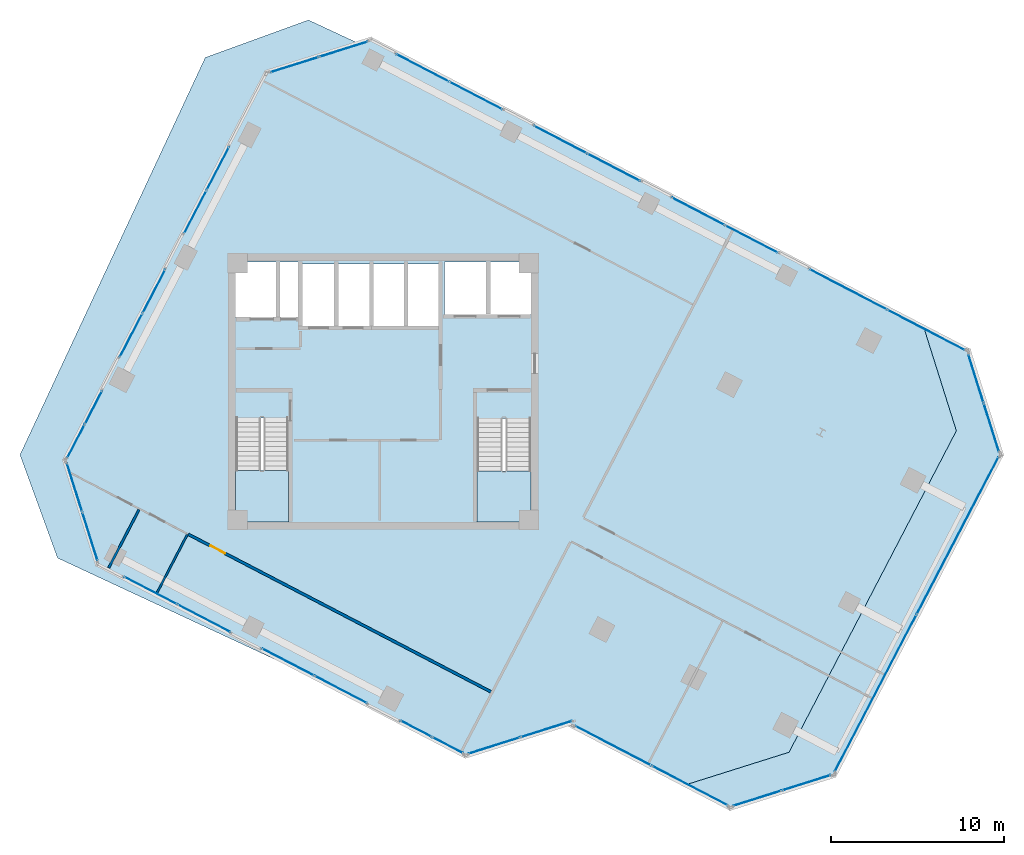
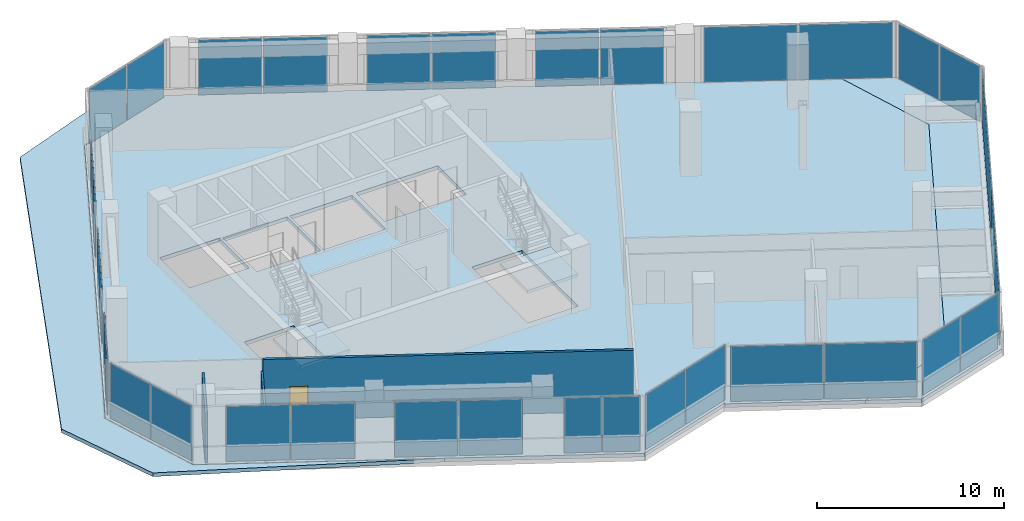
# One storey, part 16 of 22: 34 plates, 5 slabs, 3 walls, 1 door, 1 opening, 19 elements without a shape of their own.
"""IFC4 building model written with IfcOpenShell, lengths in metres."""

import ifcopenshell
import ifcopenshell.guid

model = None  # the IFC model being written
_history = None  # IfcOwnerHistory: only IFC2X3 demands one
_inside = {}  # id of a spatial element -> (the spatial element, [elements in it])
_under = {}  # id of a project, library or spatial element -> (it, [spatial elements below it])
_declared = {}  # id of a project -> (the project, [libraries it declares])
_typed = {}  # id of a type object -> (the type object, [elements of that type])
_made_of = {}  # id of a material, layer set ... -> (it, [elements and type objects made of it])


def new_model(schema):
    """Start an empty IFC model of exactly this schema.

    Asked for "IFC4X3", IfcOpenShell would pick the latest addendum, in which some entities
    have other attributes; the version numbers below select the first issue.
    IFC2X3 requires an IfcOwnerHistory on every rooted entity: one is made here for all.
    """
    global model, _history
    if schema == "IFC4X3":
        model = ifcopenshell.file(schema_version=(4, 3, 0, 0))
    else:
        model = ifcopenshell.file(schema=schema)
    _inside.clear()
    _under.clear()
    _declared.clear()
    _typed.clear()
    _made_of.clear()
    _history = None
    if model.schema == "IFC2X3":
        org = make("IfcOrganization", Name="unknown")
        user = make(
            "IfcPersonAndOrganization",
            ThePerson=make("IfcPerson", FamilyName="unknown"),
            TheOrganization=org,
        )
        app = make(
            "IfcApplication",
            ApplicationDeveloper=org,
            Version="unknown",
            ApplicationFullName="unknown",
            ApplicationIdentifier="unknown",
        )
        _history = make(
            "IfcOwnerHistory",
            OwningUser=user,
            OwningApplication=app,
            ChangeAction="ADDED",
            CreationDate=0,
        )
    return model


def make(cls, **values):
    """One entity of the class cls with the attributes given. An attribute that is None is left unset."""
    return model.create_entity(
        cls, **{name: value for name, value in values.items() if value is not None}
    )


def rooted(cls, **values):
    """An entity with a GlobalId (a new one), such as an element, a storey or a relation."""
    return make(cls, GlobalId=ifcopenshell.guid.new(), OwnerHistory=_history, **values)


def si_unit(unit_type, name, prefix=None):
    """IfcSIUnit, for example si_unit("LENGTHUNIT", "METRE", prefix="MILLI")."""
    return make("IfcSIUnit", UnitType=unit_type, Prefix=prefix, Name=name)


def assignment(units):
    """IfcUnitAssignment: the units of a project."""
    return None if units is None else make("IfcUnitAssignment", Units=units)


def point(xyz):
    """IfcCartesianPoint."""
    return None if xyz is None else make("IfcCartesianPoint", Coordinates=xyz)


def direction(xyz):
    """IfcDirection."""
    return None if xyz is None else make("IfcDirection", DirectionRatios=xyz)


def frame(location, z_axis=None, x_axis=None):
    """IfcAxis2Placement3D, a coordinate frame: its origin and axes. An axis left out is left unset."""
    return make(
        "IfcAxis2Placement3D",
        Location=point(location),
        Axis=direction(z_axis),
        RefDirection=direction(x_axis),
    )


def frame_2d(location, x_axis=None):
    """IfcAxis2Placement2D, a coordinate frame in the plane: its origin and x axis."""
    return make(
        "IfcAxis2Placement2D", Location=point(location), RefDirection=direction(x_axis)
    )


def origin():
    """The frame at (0, 0, 0) with its axes left unset."""
    return frame((0.0, 0.0, 0.0))


def origin_2d():
    """The frame at (0, 0) in the plane with its x axis left unset."""
    return frame_2d((0.0, 0.0))


def place(relative_to, where):
    """IfcLocalPlacement: puts the frame where relative to a parent placement (None: the world)."""
    return make(
        "IfcLocalPlacement", PlacementRelTo=relative_to, RelativePlacement=where
    )


def context(
    kind, dimensions, precision=None, world=None, true_north=None, identifier=None
):
    """IfcGeometricRepresentationContext, for example the 3D "Model" context."""
    return make(
        "IfcGeometricRepresentationContext",
        ContextIdentifier=identifier,
        ContextType=kind,
        CoordinateSpaceDimension=dimensions,
        Precision=precision,
        WorldCoordinateSystem=world,
        TrueNorth=true_north,
    )


def subcontext(parent, identifier, kind, view, scale=None):
    """IfcGeometricRepresentationSubContext, for example "Body" below "Model"."""
    return make(
        "IfcGeometricRepresentationSubContext",
        ContextIdentifier=identifier,
        ContextType=kind,
        ParentContext=parent,
        TargetScale=scale,
        TargetView=view,
    )


def project(units=None, contexts=None):
    """IfcProject with its units and contexts."""
    return rooted(
        "IfcProject",
        Name="project",
        RepresentationContexts=contexts,
        UnitsInContext=assignment(units),
    )


def spatial(cls, under=None, at=None, **own):
    """A site, building, storey or space (cls), placed at a placement, below another one or the project."""
    s = rooted(cls, ObjectPlacement=at, **own)
    if under is not None:
        _under.setdefault(under.id(), (under, []))[1].append(s)
    return s


def polyline(points):
    """IfcPolyline through the points."""
    return make("IfcPolyline", Points=[point(p) for p in points])


def profile(cls, at=None, kind="AREA", **sizes):
    """A parametric profile (cls). Its sizes go by their IFC names, for example OverallWidth=200.0."""
    return make(cls, ProfileType=kind, Position=at, **sizes)


def rectangle(**sizes):
    """IfcRectangleProfileDef."""
    return profile("IfcRectangleProfileDef", **sizes)


def outline(outer, holes=None, kind="AREA"):
    """IfcArbitraryClosedProfileDef: a profile drawn as a closed curve; with holes, ...WithVoids."""
    if holes is None:
        return make("IfcArbitraryClosedProfileDef", ProfileType=kind, OuterCurve=outer)
    return make(
        "IfcArbitraryProfileDefWithVoids",
        ProfileType=kind,
        OuterCurve=outer,
        InnerCurves=holes,
    )


def extrude(swept, where, along, depth):
    """IfcExtrudedAreaSolid: the profile swept, set in the frame where, extruded along a direction by depth."""
    return make(
        "IfcExtrudedAreaSolid",
        SweptArea=swept,
        Position=where,
        ExtrudedDirection=direction(along),
        Depth=depth,
    )


def shape(context_of_items, identifier, shape_type, items):
    """IfcShapeRepresentation: the items that make up one representation, for example the "Body"."""
    return make(
        "IfcShapeRepresentation",
        ContextOfItems=context_of_items,
        RepresentationIdentifier=identifier,
        RepresentationType=shape_type,
        Items=items,
    )


def source(mapping_origin, context_of_items, identifier, shape_type, items):
    """IfcRepresentationMap: a shape defined once, which mapped items show again and again."""
    return make(
        "IfcRepresentationMap",
        MappingOrigin=mapping_origin,
        MappedRepresentation=shape(context_of_items, identifier, shape_type, items),
    )


def transform(
    local_origin,
    x_axis=None,
    y_axis=None,
    z_axis=None,
    scale=None,
    scale2=None,
    scale3=None,
    uniform=True,
):
    """IfcCartesianTransformationOperator3D, or its non-uniform kind. x_axis, y_axis, z_axis: its Axis1, 2, 3."""
    if uniform:
        return make(
            "IfcCartesianTransformationOperator3D",
            Axis1=direction(x_axis),
            Axis2=direction(y_axis),
            LocalOrigin=point(local_origin),
            Scale=scale,
            Axis3=direction(z_axis),
        )
    return make(
        "IfcCartesianTransformationOperator3DnonUniform",
        Axis1=direction(x_axis),
        Axis2=direction(y_axis),
        LocalOrigin=point(local_origin),
        Scale=scale,
        Axis3=direction(z_axis),
        Scale2=scale2,
        Scale3=scale3,
    )


def mapped(mapping_source, mapping_target):
    """IfcMappedItem: shows the shape of a source again, moved by a transform."""
    return make(
        "IfcMappedItem", MappingSource=mapping_source, MappingTarget=mapping_target
    )


def material(Name=None, Category=None):
    """IfcMaterial."""
    return make("IfcMaterial", Name=Name, Category=Category)


def layer(
    of_material, thickness, ventilated=None, Name=None, Category=None, Priority=None
):
    """IfcMaterialLayer: one layer of a wall or slab, of a material (None: an air gap)."""
    return make(
        "IfcMaterialLayer",
        Material=of_material,
        LayerThickness=thickness,
        IsVentilated=ventilated,
        Name=Name,
        Category=Category,
        Priority=Priority,
    )


def layer_set(layers, Name=None):
    """IfcMaterialLayerSet."""
    return make("IfcMaterialLayerSet", MaterialLayers=layers, LayerSetName=Name)


def made_of(thing, what):
    """Note that an element or type object is made of a material, layer set ...; save() writes the relation."""
    if what is not None:
        _made_of.setdefault(what.id(), (what, []))[1].append(thing)
    return thing


def type_object(cls, material=None, **own):
    """A type object (cls), such as IfcWallType, which elements share."""
    return made_of(rooted(cls, **own), material)


def element(
    cls,
    number,
    at=None,
    inside=None,
    cuts=None,
    type_object=None,
    material=None,
    context=None,
    identifier="Body",
    shape_type=None,
    held_by="IfcProductDefinitionShape",
    body=None,
    shapes=None,
    **own,
):
    """One element of the class cls, such as IfcWall. Its Tag is "e" and its number.

    at: its placement. inside: the storey or other place that contains it. cuts: it is an
    opening in that element (IfcRelVoidsElement). A single representation is given by context,
    identifier, shape_type and body (its items); several are given by shapes. held_by: the class
    of the entity that holds the representations. save() writes the other relations.
    """
    e = rooted(cls, Tag="e%d" % number, ObjectPlacement=at, **own)
    if body is not None:
        shapes = [shape(context, identifier, shape_type, body)]
    if shapes is not None:
        e.Representation = make(held_by, Representations=shapes)
    if inside is not None:
        _inside.setdefault(inside.id(), (inside, []))[1].append(e)
    if cuts is not None:
        rooted(
            "IfcRelVoidsElement", RelatingBuildingElement=cuts, RelatedOpeningElement=e
        )
    if type_object is not None:
        _typed.setdefault(type_object.id(), (type_object, []))[1].append(e)
    return made_of(e, material)


def fill(opening, filler):
    """IfcRelFillsElement: the door or window that sits in an opening."""
    return rooted(
        "IfcRelFillsElement",
        RelatingOpeningElement=opening,
        RelatedBuildingElement=filler,
    )


def aggregate(whole, parts):
    """IfcRelAggregates: a whole, such as a stair, and the parts it consists of."""
    return rooted("IfcRelAggregates", RelatingObject=whole, RelatedObjects=parts)


def save(model, path):
    """Write the relations noted so far, then the file.

    IfcRelAggregates (storeys below a building ...), IfcRelContainedInSpatialStructure (elements
    in a storey), IfcRelDefinesByType, IfcRelAssociatesMaterial and IfcRelDeclares: one each for
    every whole, place, type object, material and project.
    """
    for whole, parts in _under.values():
        aggregate(whole, parts)
    for where, things in _inside.values():
        rooted(
            "IfcRelContainedInSpatialStructure",
            RelatedElements=things,
            RelatingStructure=where,
        )
    for kind, things in _typed.values():
        rooted("IfcRelDefinesByType", RelatedObjects=things, RelatingType=kind)
    for what, things in _made_of.values():
        rooted("IfcRelAssociatesMaterial", RelatedObjects=things, RelatingMaterial=what)
    for by, libraries in _declared.values():
        rooted("IfcRelDeclares", RelatingContext=by, RelatedDefinitions=libraries)
    model.write(path)


model = new_model("IFC4")

# Units and contexts
model_context = context("Model", 3, precision=1e-05, world=origin(), true_north=direction((0.0, 1.0)))
body_context = subcontext(model_context, "Body", "Model", "MODEL_VIEW")
ifc_project = project(units=[si_unit("LENGTHUNIT", "METRE"), si_unit("AREAUNIT", "SQUARE_METRE"), si_unit("VOLUMEUNIT", "CUBIC_METRE"), si_unit("PLANEANGLEUNIT", "RADIAN"), si_unit("MASSUNIT", "GRAM", prefix="KILO")], contexts=[model_context])

# Site, building, storey
site_placement = place(None, origin())
site = spatial("IfcSite", under=ifc_project, at=site_placement, CompositionType="ELEMENT")
building_placement = place(site_placement, origin())
building = spatial("IfcBuilding", under=site, at=building_placement, Name="Torre Montelarca", CompositionType="ELEMENT")
storey_placement = place(building_placement, frame((0.0, 0.0, 166.60009765625)))
storey = spatial("IfcBuildingStorey", under=building, at=storey_placement, Name="L37", CompositionType="ELEMENT", Elevation=166.60009765625)

# Slabs
ifc_material_1 = material(Name="Concrete C40/50", Category="concrete")
ifc_layer_1 = layer(ifc_material_1, 0.239990234375, Name="Concrete C40/50", Category="concrete")
ifc_layer_set_1 = layer_set([ifc_layer_1], Name="Concrete C40/50")
slab_type_1 = type_object("IfcSlabType", Name="SL-FLR-240", PredefinedType="FLOOR", material=ifc_layer_set_1)
slab_1_placement = place(storey_placement, frame((0.0, 0.0, -0.239990234375)))
element("IfcSlab", 1, at=slab_1_placement, inside=storey, type_object=slab_type_1, Name="L37 Structural Floor Slab", PredefinedType="FLOOR", context=body_context, shape_type="SweptSolid", body=[
    extrude(outline(polyline([(22.7646484375, 10.8232421875), (28.833984375, 12.737060546875), (28.787841796875, 12.648193359375), (35.4404296875, 9.185302734375), (41.509765625, 11.098876953125), (51.20654296875, 29.72607421875), (49.29296875, 35.79541015625), (17.271728515625, 52.464599609375), (11.202392578125, 50.551025390625), (-0.52587890625, 28.02099609375), (1.3876953125, 21.951416015625), (22.7646484375, 10.8232421875)]), holes=[polyline([(26.550048828125, 24.449951171875), (23.43994140625, 24.449951171875), (23.43994140625, 30.429931640625), (26.550048828125, 30.429931640625), (26.550048828125, 24.449951171875)]), polyline([(9.449951171875, 24.449951171875), (9.449951171875, 30.4599609375), (12.5, 30.4599609375), (12.5, 24.449951171875), (9.449951171875, 24.449951171875)]), polyline([(17.25, 35.800048828125), (13.300048828125, 35.800048828125), (13.300048828125, 39.39990234375), (17.25, 39.39990234375), (17.25, 35.800048828125)]), polyline([(21.25, 39.39990234375), (21.25, 35.800048828125), (17.39990234375, 35.800048828125), (17.39990234375, 39.39990234375), (21.25, 39.39990234375)]), polyline([(13.1201171875, 36.300048828125), (9.449951171875, 36.300048828125), (9.449951171875, 39.5), (13.1201171875, 39.5), (13.1201171875, 36.300048828125)]), polyline([(26.60009765625, 36.449951171875), (21.550048828125, 36.449951171875), (21.550048828125, 39.5), (26.60009765625, 39.5), (26.60009765625, 36.449951171875)])]), origin(), (0.0, 0.0, 1.0), 0.239990234375),
])
slab_2_placement = place(storey_placement, frame((0.0, 0.0, -0.239990234375)))
element("IfcSlab", 2, at=slab_2_placement, inside=storey, type_object=slab_type_1, Name="L37 Sliding Tray Winter Garden Floor Slab E1", PredefinedType="FLOOR", context=body_context, shape_type="SweptSolid", body=[
    extrude(outline(polyline([(49.29296875, 35.79541015625), (51.20654296875, 29.72607421875), (41.509765625, 11.098876953125), (35.4404296875, 9.185302734375), (38.101318359375, 7.800048828125), (44.1708984375, 9.713623046875), (53.86767578125, 28.3408203125), (51.953857421875, 34.410400390625), (49.29296875, 35.79541015625)])), origin(), (0.0, 0.0, 1.0), 0.239990234375),
])
ifc_material_2 = material(Name="Architectural concrete C40/50", Category="concrete")
ifc_layer_2 = layer(ifc_material_2, 0.239990234375, Name="Architectural concrete C40/50", Category="concrete")
ifc_layer_set_2 = layer_set([ifc_layer_2], Name="Architectural concrete C40/50")
slab_type_2 = type_object("IfcSlabType", Name="SL-ROOF-EXT-240", PredefinedType="ROOF", material=ifc_layer_set_2)
slab_3_placement = place(storey_placement, frame((0.0, 0.0, -0.239990234375)))
element("IfcSlab", 3, at=slab_3_placement, inside=storey, type_object=slab_type_2, Name="L36 Setback and Tray Overhang Roof Cap Slab 01", PredefinedType="ROOF", context=body_context, shape_type="SweptSolid", body=[
    extrude(outline(polyline([(1.381103515625, 21.94580078125), (-0.53466796875, 28.021728515625), (11.19677734375, 50.5576171875), (16.469970703125, 52.22021484375), (13.664306640625, 53.528564453125), (7.68408203125, 51.35205078125), (-3.05029296875, 28.331787109375), (-0.873779296875, 22.3515625), (13.28125, 15.7509765625), (1.381103515625, 21.94580078125)])), origin(), (0.0, 0.0, 1.0), 0.239990234375),
])

# Stair, slab
stair_type_1 = type_object("IfcStairType", Name="ST-CORE-ST1", PredefinedType="HALF_TURN_STAIR", material=ifc_material_1)
stair_1_placement = place(storey_placement, origin())
stair_1 = element("IfcStair", 4, at=stair_1_placement, inside=storey, type_object=stair_type_1, Name="L37 Protected Exit Stair ST1", PredefinedType="HALF_TURN_STAIR")
ifc_layer_3 = layer(ifc_material_1, 0.199951171875, Name="Concrete C40/50", Category="concrete")
ifc_layer_set_3 = layer_set([ifc_layer_3], Name="Concrete C40/50")
slab_type_3 = type_object("IfcSlabType", Name="SL-ST-LAND-ST1", PredefinedType="LANDING", material=ifc_layer_set_3)
slab_4_placement = place(storey_placement, frame((0.0, 0.0, 1.89990234375)))
slab_4 = element("IfcSlab", 5, at=slab_4_placement, type_object=slab_type_3, Name="ST1 landing 1", PredefinedType="LANDING", context=body_context, shape_type="SweptSolid", body=[
    extrude(outline(polyline([(9.449951171875, 27.419921875), (9.449951171875, 24.449951171875), (12.5, 24.449951171875), (12.5, 27.419921875), (9.449951171875, 27.419921875)])), origin(), (0.0, 0.0, 1.0), 0.199951171875),
])
aggregate(stair_1, [slab_4])

stair_type_2 = type_object("IfcStairType", Name="ST-CORE-ST2", PredefinedType="HALF_TURN_STAIR", material=ifc_material_1)
stair_2_placement = place(storey_placement, origin())
stair_2 = element("IfcStair", 6, at=stair_2_placement, inside=storey, type_object=stair_type_2, Name="L37 Protected Exit Stair ST2", PredefinedType="HALF_TURN_STAIR")
ifc_layer_4 = layer(ifc_material_1, 0.199951171875, Name="Concrete C40/50", Category="concrete")
ifc_layer_set_4 = layer_set([ifc_layer_4], Name="Concrete C40/50")
slab_type_4 = type_object("IfcSlabType", Name="SL-ST-LAND-ST2", PredefinedType="LANDING", material=ifc_layer_set_4)
slab_5_placement = place(storey_placement, frame((0.0, 0.0, 1.89990234375)))
slab_5 = element("IfcSlab", 7, at=slab_5_placement, type_object=slab_type_4, Name="ST2 landing 1", PredefinedType="LANDING", context=body_context, shape_type="SweptSolid", body=[
    extrude(outline(polyline([(23.43994140625, 27.389892578125), (23.43994140625, 24.449951171875), (26.550048828125, 24.449951171875), (26.550048828125, 27.389892578125), (23.43994140625, 27.389892578125)])), origin(), (0.0, 0.0, 1.0), 0.199951171875),
])
aggregate(stair_2, [slab_5])

# Curtain wall, plates
ifc_material_3 = material(Name="Insulated low-E laminated glass", Category="glass")
curtain_wall_type = type_object("IfcCurtainWallType", Name="CW-SYS-Z2", PredefinedType="USERDEFINED", material=ifc_material_3)
curtain_wall_1_placement = place(storey_placement, origin())
curtain_wall_1 = element("IfcCurtainWall", 8, at=curtain_wall_1_placement, inside=storey, type_object=curtain_wall_type, Name="L37 Curtain Wall Run CW-T3-L37-E05-B1", ObjectType="UNITISED GLAZING", PredefinedType="USERDEFINED")
ifc_layer_5 = layer(ifc_material_3, 0.031982421875, Name="Insulated low-E laminated glass", Category="glass")
ifc_layer_set_5 = layer_set([ifc_layer_5], Name="Insulated low-E laminated glass")
plate_type = type_object("IfcPlateType", Name="CWP-GLZ-32", PredefinedType="CURTAIN_PANEL", material=ifc_layer_set_5)
shared_shape_1 = source(origin(), body_context, "Body", "SweptSolid", [
    extrude(rectangle(XDim=2.918701171875, YDim=0.031982421875, at=origin_2d()), origin(), (0.0, 0.0, 1.0), 3.590087890625),
])
plate_1_placement = place(storey_placement, frame((39.67431640625, 8.43212890625, 0.06494140625), z_axis=(0.0, 0.0, 1.0), x_axis=(0.953725364895, 0.300679111938, 0.0)))
plate_1 = element("IfcPlate", 9, at=plate_1_placement, type_object=plate_type, Name="CW panel 1.1", PredefinedType="CURTAIN_PANEL", context=body_context, shape_type="MappedRepresentation", body=[
    mapped(shared_shape_1, transform((0.0, 0.0, 0.0), scale=1.0)),
])
plate_2_placement = place(storey_placement, frame((42.52001953125, 9.329345703125, 0.06494140625), z_axis=(0.0, 0.0, 1.0), x_axis=(0.953725364895, 0.300679111938, 0.0)))
plate_2 = element("IfcPlate", 10, at=plate_2_placement, type_object=plate_type, Name="CW panel 2.1", PredefinedType="CURTAIN_PANEL", context=body_context, shape_type="MappedRepresentation", body=[
    mapped(shared_shape_1, transform((0.0, 0.0, 0.0), scale=1.0)),
])
aggregate(curtain_wall_1, [plate_1, plate_2])

curtain_wall_2_placement = place(storey_placement, origin())
curtain_wall_2 = element("IfcCurtainWall", 11, at=curtain_wall_2_placement, inside=storey, type_object=curtain_wall_type, Name="L37 Curtain Wall Run CW-T3-L37-E07-B1", ObjectType="UNITISED GLAZING", PredefinedType="USERDEFINED")
plate_3_placement = place(storey_placement, frame((53.2353515625, 29.913818359375, 0.06494140625), z_axis=(0.0, 0.0, 1.0), x_axis=(-0.30069894448, 0.953719112102, 0.0)))
plate_3 = element("IfcPlate", 12, at=plate_3_placement, type_object=plate_type, Name="CW panel 1.1", PredefinedType="CURTAIN_PANEL", context=body_context, shape_type="MappedRepresentation", body=[
    mapped(shared_shape_1, transform((0.0, 0.0, 0.0), scale=1.0)),
])
plate_4_placement = place(storey_placement, frame((52.338134765625, 32.75927734375, 0.06494140625), z_axis=(0.0, 0.0, 1.0), x_axis=(-0.30069894448, 0.953719112102, 0.0)))
plate_4 = element("IfcPlate", 13, at=plate_4_placement, type_object=plate_type, Name="CW panel 2.1", PredefinedType="CURTAIN_PANEL", context=body_context, shape_type="MappedRepresentation", body=[
    mapped(shared_shape_1, transform((0.0, 0.0, 0.0), scale=1.0)),
])
aggregate(curtain_wall_2, [plate_3, plate_4])

curtain_wall_3_placement = place(storey_placement, origin())
curtain_wall_3 = element("IfcCurtainWall", 14, at=curtain_wall_3_placement, inside=storey, type_object=curtain_wall_type, Name="L37 Curtain Wall Run CW-T3-L37-E09-B1", ObjectType="UNITISED GLAZING", PredefinedType="USERDEFINED")
plate_5_placement = place(storey_placement, frame((15.698974609375, 51.83251953125, 0.06494140625), z_axis=(0.0, 0.0, 1.0), x_axis=(-0.953719112102, -0.30069894448, 0.0)))
plate_5 = element("IfcPlate", 15, at=plate_5_placement, type_object=plate_type, Name="CW panel 1.1", PredefinedType="CURTAIN_PANEL", context=body_context, shape_type="MappedRepresentation", body=[
    mapped(shared_shape_1, transform((0.0, 0.0, 0.0), scale=1.0)),
])
plate_6_placement = place(storey_placement, frame((12.853271484375, 50.935302734375, 0.06494140625), z_axis=(0.0, 0.0, 1.0), x_axis=(-0.953719112102, -0.30069894448, 0.0)))
plate_6 = element("IfcPlate", 16, at=plate_6_placement, type_object=plate_type, Name="CW panel 2.1", PredefinedType="CURTAIN_PANEL", context=body_context, shape_type="MappedRepresentation", body=[
    mapped(shared_shape_1, transform((0.0, 0.0, 0.0), scale=1.0)),
])
aggregate(curtain_wall_3, [plate_5, plate_6])

curtain_wall_4_placement = place(storey_placement, origin())
curtain_wall_4 = element("IfcCurtainWall", 17, at=curtain_wall_4_placement, inside=storey, type_object=curtain_wall_type, Name="L37 Curtain Wall Run CW-T3-L37-E11-B1", ObjectType="UNITISED GLAZING", PredefinedType="USERDEFINED")
plate_7_placement = place(storey_placement, frame((0.106201171875, 26.447998046875, 0.06494140625), z_axis=(0.0, 0.0, 1.0), x_axis=(0.300683865815, -0.953723866137, 0.0)))
plate_7 = element("IfcPlate", 18, at=plate_7_placement, type_object=plate_type, Name="CW panel 1.1", PredefinedType="CURTAIN_PANEL", context=body_context, shape_type="MappedRepresentation", body=[
    mapped(shared_shape_1, transform((0.0, 0.0, 0.0), scale=1.0)),
])
plate_8_placement = place(storey_placement, frame((1.00341796875, 23.6025390625, 0.06494140625), z_axis=(0.0, 0.0, 1.0), x_axis=(0.300683865815, -0.953723866137, 0.0)))
plate_8 = element("IfcPlate", 19, at=plate_8_placement, type_object=plate_type, Name="CW panel 2.1", PredefinedType="CURTAIN_PANEL", context=body_context, shape_type="MappedRepresentation", body=[
    mapped(shared_shape_1, transform((0.0, 0.0, 0.0), scale=1.0)),
])
aggregate(curtain_wall_4, [plate_7, plate_8])

curtain_wall_5_placement = place(storey_placement, origin())
curtain_wall_5 = element("IfcCurtainWall", 20, at=curtain_wall_5_placement, inside=storey, type_object=curtain_wall_type, Name="L37 Curtain Wall Run CW-T3-L37-E02-B1", ObjectType="UNITISED GLAZING", PredefinedType="USERDEFINED")
shared_shape_2 = source(origin(), body_context, "Body", "SweptSolid", [
    extrude(rectangle(XDim=3.1025390625, YDim=0.031982421875, at=origin_2d()), origin(), (0.0, 0.0, 1.0), 3.590087890625),
])
plate_9_placement = place(storey_placement, frame((24.425048828125, 11.483154296875, 0.06494140625), z_axis=(0.0, 0.0, 1.0), x_axis=(0.953717880455, 0.300702850836, 0.0)))
plate_9 = element("IfcPlate", 21, at=plate_9_placement, type_object=plate_type, Name="CW panel 1.1", PredefinedType="CURTAIN_PANEL", context=body_context, shape_type="MappedRepresentation", body=[
    mapped(shared_shape_2, transform((0.0, 0.0, 0.0), scale=1.0)),
])
plate_10_placement = place(storey_placement, frame((27.446044921875, 12.435791015625, 0.06494140625), z_axis=(0.0, 0.0, 1.0), x_axis=(0.953717880455, 0.300702850836, 0.0)))
plate_10 = element("IfcPlate", 22, at=plate_10_placement, type_object=plate_type, Name="CW panel 2.1", PredefinedType="CURTAIN_PANEL", context=body_context, shape_type="MappedRepresentation", body=[
    mapped(shared_shape_2, transform((0.0, 0.0, 0.0), scale=1.0)),
])
aggregate(curtain_wall_5, [plate_9, plate_10])

curtain_wall_6_placement = place(storey_placement, origin())
curtain_wall_6 = element("IfcCurtainWall", 23, at=curtain_wall_6_placement, inside=storey, type_object=curtain_wall_type, Name="L37 Curtain Wall Run CW-T3-L37-E04-B1", ObjectType="UNITISED GLAZING", PredefinedType="USERDEFINED")
shared_shape_3 = source(origin(), body_context, "Body", "SweptSolid", [
    extrude(rectangle(XDim=4.948486328125, YDim=0.031982421875, at=origin_2d()), origin(), (0.0, 0.0, 1.0), 3.590087890625),
])
plate_11_placement = place(storey_placement, frame((31.31494140625, 11.4794921875, 0.06494140625), z_axis=(0.0, 0.0, 1.0), x_axis=(0.887013437803, -0.461743609762, 0.0)))
plate_11 = element("IfcPlate", 24, at=plate_11_placement, type_object=plate_type, Name="CW panel 1.1", PredefinedType="CURTAIN_PANEL", context=body_context, shape_type="MappedRepresentation", body=[
    mapped(shared_shape_3, transform((0.0, 0.0, 0.0), scale=1.0)),
])
plate_12_placement = place(storey_placement, frame((35.761962890625, 9.164306640625, 0.06494140625), z_axis=(0.0, 0.0, 1.0), x_axis=(0.887013437803, -0.461743609762, 0.0)))
plate_12 = element("IfcPlate", 25, at=plate_12_placement, type_object=plate_type, Name="CW panel 2.1", PredefinedType="CURTAIN_PANEL", context=body_context, shape_type="MappedRepresentation", body=[
    mapped(shared_shape_3, transform((0.0, 0.0, 0.0), scale=1.0)),
])
aggregate(curtain_wall_6, [plate_11, plate_12])

curtain_wall_7_placement = place(storey_placement, origin())
curtain_wall_7 = element("IfcCurtainWall", 26, at=curtain_wall_7_placement, inside=storey, type_object=curtain_wall_type, Name="L37 Curtain Wall Run CW-T3-L37-E10-B1", ObjectType="UNITISED GLAZING", PredefinedType="USERDEFINED")
shared_shape_4 = source(origin(), body_context, "Body", "SweptSolid", [
    extrude(rectangle(XDim=2.7724609375, YDim=0.031982421875, at=origin_2d()), origin(), (0.0, 0.0, 1.0), 3.590087890625),
])
plate_13_placement = place(storey_placement, frame((8.41748046875, 44.91943359375, 0.06494140625), z_axis=(0.0, 0.0, 1.0), x_axis=(-0.461760253136, -0.887004773732, 0.0)))
plate_13 = element("IfcPlate", 27, at=plate_13_placement, type_object=plate_type, Name="CW panel 1.1", PredefinedType="CURTAIN_PANEL", context=body_context, shape_type="MappedRepresentation", body=[
    mapped(shared_shape_4, transform((0.0, 0.0, 0.0), scale=1.0)),
])
plate_14_placement = place(storey_placement, frame((7.107177734375, 42.402587890625, 0.06494140625), z_axis=(0.0, 0.0, 1.0), x_axis=(-0.461760253136, -0.887004773732, 0.0)))
plate_14 = element("IfcPlate", 28, at=plate_14_placement, type_object=plate_type, Name="CW panel 2.1", PredefinedType="CURTAIN_PANEL", context=body_context, shape_type="MappedRepresentation", body=[
    mapped(shared_shape_4, transform((0.0, 0.0, 0.0), scale=1.0)),
])
aggregate(curtain_wall_7, [plate_13, plate_14])

curtain_wall_8_placement = place(storey_placement, origin())
curtain_wall_8 = element("IfcCurtainWall", 29, at=curtain_wall_8_placement, inside=storey, type_object=curtain_wall_type, Name="L37 Curtain Wall Run CW-T3-L37-E10-B2", ObjectType="UNITISED GLAZING", PredefinedType="USERDEFINED")
shared_shape_5 = source(origin(), body_context, "Body", "SweptSolid", [
    extrude(rectangle(XDim=2.81005859375, YDim=0.031982421875, at=origin_2d()), origin(), (0.0, 0.0, 1.0), 3.590087890625),
])
plate_15_placement = place(storey_placement, frame((4.714599609375, 37.806640625, 0.06494140625), z_axis=(0.0, 0.0, 1.0), x_axis=(-0.46175066351, -0.88700976587, 0.0)))
plate_15 = element("IfcPlate", 30, at=plate_15_placement, type_object=plate_type, Name="CW panel 1.1", PredefinedType="CURTAIN_PANEL", context=body_context, shape_type="MappedRepresentation", body=[
    mapped(shared_shape_5, transform((0.0, 0.0, 0.0), scale=1.0)),
])
plate_16_placement = place(storey_placement, frame((3.38720703125, 35.256591796875, 0.06494140625), z_axis=(0.0, 0.0, 1.0), x_axis=(-0.46175066351, -0.88700976587, 0.0)))
plate_16 = element("IfcPlate", 31, at=plate_16_placement, type_object=plate_type, Name="CW panel 2.1", PredefinedType="CURTAIN_PANEL", context=body_context, shape_type="MappedRepresentation", body=[
    mapped(shared_shape_5, transform((0.0, 0.0, 0.0), scale=1.0)),
])
aggregate(curtain_wall_8, [plate_15, plate_16])

curtain_wall_9_placement = place(storey_placement, origin())
curtain_wall_9 = element("IfcCurtainWall", 32, at=curtain_wall_9_placement, inside=storey, type_object=curtain_wall_type, Name="L37 Curtain Wall Run CW-T3-L37-E01-B1", ObjectType="UNITISED GLAZING", PredefinedType="USERDEFINED")
shared_shape_6 = source(origin(), body_context, "Body", "SweptSolid", [
    extrude(rectangle(XDim=3.422607421875, YDim=0.031982421875, at=origin_2d()), origin(), (0.0, 0.0, 1.0), 3.590087890625),
])
plate_17_placement = place(storey_placement, frame((4.513427734375, 20.470703125, 0.06494140625), z_axis=(0.0, 0.0, 1.0), x_axis=(0.887012753276, -0.461744924744, 0.0)))
plate_17 = element("IfcPlate", 33, at=plate_17_placement, type_object=plate_type, Name="CW panel 1.1", PredefinedType="CURTAIN_PANEL", context=body_context, shape_type="MappedRepresentation", body=[
    mapped(shared_shape_6, transform((0.0, 0.0, 0.0), scale=1.0)),
])
plate_18_placement = place(storey_placement, frame((7.60693359375, 18.860595703125, 0.06494140625), z_axis=(0.0, 0.0, 1.0), x_axis=(0.887012753276, -0.461744924744, 0.0)))
plate_18 = element("IfcPlate", 34, at=plate_18_placement, type_object=plate_type, Name="CW panel 2.1", PredefinedType="CURTAIN_PANEL", context=body_context, shape_type="MappedRepresentation", body=[
    mapped(shared_shape_6, transform((0.0, 0.0, 0.0), scale=1.0)),
])
aggregate(curtain_wall_9, [plate_17, plate_18])

curtain_wall_10_placement = place(storey_placement, origin())
curtain_wall_10 = element("IfcCurtainWall", 35, at=curtain_wall_10_placement, inside=storey, type_object=curtain_wall_type, Name="L37 Curtain Wall Run CW-T3-L37-E08-B4", ObjectType="UNITISED GLAZING", PredefinedType="USERDEFINED")
plate_19_placement = place(storey_placement, frame((23.37109375, 49.14306640625, 0.06494140625), z_axis=(0.0, 0.0, 1.0), x_axis=(-0.887012753276, 0.461744924744, 0.0)))
plate_19 = element("IfcPlate", 36, at=plate_19_placement, type_object=plate_type, Name="CW panel 1.1", PredefinedType="CURTAIN_PANEL", context=body_context, shape_type="MappedRepresentation", body=[
    mapped(shared_shape_6, transform((0.0, 0.0, 0.0), scale=1.0)),
])
plate_20_placement = place(storey_placement, frame((20.277587890625, 50.75341796875, 0.06494140625), z_axis=(0.0, 0.0, 1.0), x_axis=(-0.887012753276, 0.461744924744, 0.0)))
plate_20 = element("IfcPlate", 37, at=plate_20_placement, type_object=plate_type, Name="CW panel 2.1", PredefinedType="CURTAIN_PANEL", context=body_context, shape_type="MappedRepresentation", body=[
    mapped(shared_shape_6, transform((0.0, 0.0, 0.0), scale=1.0)),
])
aggregate(curtain_wall_10, [plate_19, plate_20])

curtain_wall_11_placement = place(storey_placement, origin())
curtain_wall_11 = element("IfcCurtainWall", 38, at=curtain_wall_11_placement, inside=storey, type_object=curtain_wall_type, Name="L37 Curtain Wall Run CW-T3-L37-E01-B2", ObjectType="UNITISED GLAZING", PredefinedType="USERDEFINED")
shared_shape_7 = source(origin(), body_context, "Body", "SweptSolid", [
    extrude(rectangle(XDim=3.385009765625, YDim=0.031982421875, at=origin_2d()), origin(), (0.0, 0.0, 1.0), 3.590087890625),
])
plate_21_placement = place(storey_placement, frame((12.47998046875, 16.32373046875, 0.06494140625), z_axis=(0.0, 0.0, 1.0), x_axis=(0.887008671397, -0.461752765954, 0.0)))
plate_21 = element("IfcPlate", 39, at=plate_21_placement, type_object=plate_type, Name="CW panel 1.1", PredefinedType="CURTAIN_PANEL", context=body_context, shape_type="MappedRepresentation", body=[
    mapped(shared_shape_7, transform((0.0, 0.0, 0.0), scale=1.0)),
])
plate_22_placement = place(storey_placement, frame((15.5400390625, 14.730712890625, 0.06494140625), z_axis=(0.0, 0.0, 1.0), x_axis=(0.887008671397, -0.461752765954, 0.0)))
plate_22 = element("IfcPlate", 40, at=plate_22_placement, type_object=plate_type, Name="CW panel 2.1", PredefinedType="CURTAIN_PANEL", context=body_context, shape_type="MappedRepresentation", body=[
    mapped(shared_shape_7, transform((0.0, 0.0, 0.0), scale=1.0)),
])
aggregate(curtain_wall_11, [plate_21, plate_22])

curtain_wall_12_placement = place(storey_placement, origin())
curtain_wall_12 = element("IfcCurtainWall", 41, at=curtain_wall_12_placement, inside=storey, type_object=curtain_wall_type, Name="L37 Curtain Wall Run CW-T3-L37-E01-B3", ObjectType="UNITISED GLAZING", PredefinedType="USERDEFINED")
shared_shape_8 = source(origin(), body_context, "Body", "SweptSolid", [
    extrude(rectangle(XDim=1.9921875, YDim=0.031982421875, at=origin_2d()), origin(), (0.0, 0.0, 1.0), 3.590087890625),
])
plate_23_placement = place(storey_placement, frame((19.911865234375, 12.455078125, 0.06494140625), z_axis=(0.0, 0.0, 1.0), x_axis=(0.887014954831, -0.461740695528, 0.0)))
plate_23 = element("IfcPlate", 42, at=plate_23_placement, type_object=plate_type, Name="CW panel 1.1", PredefinedType="CURTAIN_PANEL", context=body_context, shape_type="MappedRepresentation", body=[
    mapped(shared_shape_8, transform((0.0, 0.0, 0.0), scale=1.0)),
])
plate_24_placement = place(storey_placement, frame((21.736328125, 11.505126953125, 0.06494140625), z_axis=(0.0, 0.0, 1.0), x_axis=(0.887014954831, -0.461740695528, 0.0)))
plate_24 = element("IfcPlate", 43, at=plate_24_placement, type_object=plate_type, Name="CW panel 2.1", PredefinedType="CURTAIN_PANEL", context=body_context, shape_type="MappedRepresentation", body=[
    mapped(shared_shape_8, transform((0.0, 0.0, 0.0), scale=1.0)),
])
aggregate(curtain_wall_12, [plate_23, plate_24])

curtain_wall_13_placement = place(storey_placement, origin())
curtain_wall_13 = element("IfcCurtainWall", 44, at=curtain_wall_13_placement, inside=storey, type_object=curtain_wall_type, Name="L37 Curtain Wall Run CW-T3-L37-E06-B1", ObjectType="UNITISED GLAZING", PredefinedType="USERDEFINED")
shared_shape_9 = source(origin(), body_context, "Body", "SweptSolid", [
    extrude(rectangle(XDim=10.23681640625, YDim=0.031982421875, at=origin_2d()), origin(), (0.0, 0.0, 1.0), 3.590087890625),
])
plate_25_placement = place(storey_placement, frame((46.525634765625, 14.518310546875, 0.06494140625), z_axis=(0.0, 0.0, 1.0), x_axis=(0.461742528145, 0.887014000849, 0.0)))
plate_25 = element("IfcPlate", 45, at=plate_25_placement, type_object=plate_type, Name="CW panel 1.1", PredefinedType="CURTAIN_PANEL", context=body_context, shape_type="MappedRepresentation", body=[
    mapped(shared_shape_9, transform((0.0, 0.0, 0.0), scale=1.0)),
])
plate_26_placement = place(storey_placement, frame((51.2822265625, 23.65625, 0.06494140625), z_axis=(0.0, 0.0, 1.0), x_axis=(0.461742528145, 0.887014000849, 0.0)))
plate_26 = element("IfcPlate", 46, at=plate_26_placement, type_object=plate_type, Name="CW panel 2.1", PredefinedType="CURTAIN_PANEL", context=body_context, shape_type="MappedRepresentation", body=[
    mapped(shared_shape_9, transform((0.0, 0.0, 0.0), scale=1.0)),
])
aggregate(curtain_wall_13, [plate_25, plate_26])

curtain_wall_14_placement = place(storey_placement, origin())
curtain_wall_14 = element("IfcCurtainWall", 47, at=curtain_wall_14_placement, inside=storey, type_object=curtain_wall_type, Name="L37 Curtain Wall Run CW-T3-L37-E08-B1", ObjectType="UNITISED GLAZING", PredefinedType="USERDEFINED")
shared_shape_10 = source(origin(), body_context, "Body", "SweptSolid", [
    extrude(rectangle(XDim=5.029541015625, YDim=0.031982421875, at=origin_2d()), origin(), (0.0, 0.0, 1.0), 3.590087890625),
])
plate_27_placement = place(storey_placement, frame((49.45849609375, 35.562744140625, 0.06494140625), z_axis=(0.0, 0.0, 1.0), x_axis=(-0.887013615745, 0.461743267935, 0.0)))
plate_27 = element("IfcPlate", 48, at=plate_27_placement, type_object=plate_type, Name="CW panel 1.1", PredefinedType="CURTAIN_PANEL", context=body_context, shape_type="MappedRepresentation", body=[
    mapped(shared_shape_10, transform((0.0, 0.0, 0.0), scale=1.0)),
])
plate_28_placement = place(storey_placement, frame((44.939453125, 37.915283203125, 0.06494140625), z_axis=(0.0, 0.0, 1.0), x_axis=(-0.887013615745, 0.461743267935, 0.0)))
plate_28 = element("IfcPlate", 49, at=plate_28_placement, type_object=plate_type, Name="CW panel 2.1", PredefinedType="CURTAIN_PANEL", context=body_context, shape_type="MappedRepresentation", body=[
    mapped(shared_shape_10, transform((0.0, 0.0, 0.0), scale=1.0)),
])
aggregate(curtain_wall_14, [plate_27, plate_28])

curtain_wall_15_placement = place(storey_placement, origin())
curtain_wall_15 = element("IfcCurtainWall", 50, at=curtain_wall_15_placement, inside=storey, type_object=curtain_wall_type, Name="L37 Curtain Wall Run CW-T3-L37-E08-B2", ObjectType="UNITISED GLAZING", PredefinedType="USERDEFINED")
shared_shape_11 = source(origin(), body_context, "Body", "SweptSolid", [
    extrude(rectangle(XDim=3.42236328125, YDim=0.031982421875, at=origin_2d()), origin(), (0.0, 0.0, 1.0), 3.590087890625),
])
plate_29_placement = place(storey_placement, frame((39.337158203125, 40.83154296875, 0.06494140625), z_axis=(0.0, 0.0, 1.0), x_axis=(-0.887012514021, 0.461745384352, 0.0)))
plate_29 = element("IfcPlate", 51, at=plate_29_placement, type_object=plate_type, Name="CW panel 1.1", PredefinedType="CURTAIN_PANEL", context=body_context, shape_type="MappedRepresentation", body=[
    mapped(shared_shape_11, transform((0.0, 0.0, 0.0), scale=1.0)),
])
plate_30_placement = place(storey_placement, frame((36.24365234375, 42.44189453125, 0.06494140625), z_axis=(0.0, 0.0, 1.0), x_axis=(-0.887012514021, 0.461745384352, 0.0)))
plate_30 = element("IfcPlate", 52, at=plate_30_placement, type_object=plate_type, Name="CW panel 2.1", PredefinedType="CURTAIN_PANEL", context=body_context, shape_type="MappedRepresentation", body=[
    mapped(shared_shape_11, transform((0.0, 0.0, 0.0), scale=1.0)),
])
aggregate(curtain_wall_15, [plate_29, plate_30])

curtain_wall_16_placement = place(storey_placement, origin())
curtain_wall_16 = element("IfcCurtainWall", 53, at=curtain_wall_16_placement, inside=storey, type_object=curtain_wall_type, Name="L37 Curtain Wall Run CW-T3-L37-E08-B3", ObjectType="UNITISED GLAZING", PredefinedType="USERDEFINED")
plate_31_placement = place(storey_placement, frame((31.35400390625, 44.9873046875, 0.06494140625), z_axis=(0.0, 0.0, 1.0), x_axis=(-0.887009724704, 0.461750742588, 0.0)))
plate_31 = element("IfcPlate", 54, at=plate_31_placement, type_object=plate_type, Name="CW panel 1.1", PredefinedType="CURTAIN_PANEL", context=body_context, shape_type="MappedRepresentation", body=[
    mapped(shared_shape_11, transform((0.0, 0.0, 0.0), scale=1.0)),
])
plate_32_placement = place(storey_placement, frame((28.2607421875, 46.59765625, 0.06494140625), z_axis=(0.0, 0.0, 1.0), x_axis=(-0.887009724704, 0.461750742588, 0.0)))
plate_32 = element("IfcPlate", 55, at=plate_32_placement, type_object=plate_type, Name="CW panel 2.1", PredefinedType="CURTAIN_PANEL", context=body_context, shape_type="MappedRepresentation", body=[
    mapped(shared_shape_11, transform((0.0, 0.0, 0.0), scale=1.0)),
])
aggregate(curtain_wall_16, [plate_31, plate_32])

curtain_wall_17_placement = place(storey_placement, origin())
curtain_wall_17 = element("IfcCurtainWall", 56, at=curtain_wall_17_placement, inside=storey, type_object=curtain_wall_type, Name="L37 Curtain Wall Run CW-T3-L37-E10-B3", ObjectType="UNITISED GLAZING", PredefinedType="USERDEFINED")
shared_shape_12 = source(origin(), body_context, "Body", "SweptSolid", [
    extrude(rectangle(XDim=2.14208984375, YDim=0.031982421875, at=origin_2d()), origin(), (0.0, 0.0, 1.0), 3.590087890625),
])
plate_33_placement = place(storey_placement, frame((1.20947265625, 31.0732421875, 0.06494140625), z_axis=(0.0, 0.0, 1.0), x_axis=(-0.46173720467, -0.887016772008, 0.0)))
plate_33 = element("IfcPlate", 57, at=plate_33_placement, type_object=plate_type, Name="CW panel 1.1", PredefinedType="CURTAIN_PANEL", context=body_context, shape_type="MappedRepresentation", body=[
    mapped(shared_shape_12, transform((0.0, 0.0, 0.0), scale=1.0)),
])
plate_34_placement = place(storey_placement, frame((0.1904296875, 29.115478515625, 0.06494140625), z_axis=(0.0, 0.0, 1.0), x_axis=(-0.46173720467, -0.887016772008, 0.0)))
plate_34 = element("IfcPlate", 58, at=plate_34_placement, type_object=plate_type, Name="CW panel 2.1", PredefinedType="CURTAIN_PANEL", context=body_context, shape_type="MappedRepresentation", body=[
    mapped(shared_shape_12, transform((0.0, 0.0, 0.0), scale=1.0)),
])
aggregate(curtain_wall_17, [plate_33, plate_34])

# Wall, opening, door
ifc_material_4 = material(Name="Gypsum plasterboard on steel stud", Category="steel")
ifc_layer_6 = layer(ifc_material_4, 0.159912109375, Name="Gypsum plasterboard on steel stud", Category="steel")
ifc_layer_set_6 = layer_set([ifc_layer_6], Name="Gypsum plasterboard on steel stud")
wall_type_1 = type_object("IfcWallType", Name="PW-FIRE-160", PredefinedType="PARTITIONING", material=ifc_layer_set_6)
wall_1_placement = place(storey_placement, frame((6.698974609375, 23.72998046875, 0.0), z_axis=(0.0, 0.0, 1.0), x_axis=(0.887009683963, -0.46175082085, 0.0)))
wall_1 = element("IfcWall", 59, at=wall_1_placement, inside=storey, type_object=wall_type_1, Name="L37 Interior Partition W-L37-SOCCN", PredefinedType="PARTITIONING", context=body_context, shape_type="SweptSolid", body=[
    extrude(rectangle(XDim=19.809814453125, YDim=0.159912109375, at=frame_2d((9.90478515625, 0.0))), origin(), (0.0, 0.0, 1.0), 3.9599609375),
])
opening_placement = place(wall_1_placement, frame((1.449951171875, 0.0, 0.0)))
opening = element("IfcOpeningElement", 60, at=opening_placement, cuts=wall_1, Name="Opening FD-095", PredefinedType="OPENING", context=body_context, shape_type="SweptSolid", body=[
    extrude(rectangle(XDim=0.949951171875, YDim=2.14990234375, at=frame_2d((0.47509765625, 1.074951171875))), frame((0.0, 0.08984375, 0.0), z_axis=(0.0, -1.0, 0.0), x_axis=(1.0, 0.0, 0.0)), (0.0, 0.0, 1.0), 0.179931640625),
])
ifc_material_5 = material(Name="Timber fire-rated room door", Category="wood")
door_type = type_object("IfcDoorType", Name="DR-FIRE-095", OperationType="NOTDEFINED", PredefinedType="DOOR", material=ifc_material_5)
shared_shape_13 = source(origin(), body_context, "Body", "SweptSolid", [
    extrude(rectangle(XDim=0.949951171875, YDim=2.14990234375, at=frame_2d((0.47509765625, 1.074951171875))), frame((0.0, 0.02490234375, 0.0), z_axis=(0.0, -1.0, 0.0), x_axis=(1.0, 0.0, 0.0)), (0.0, 0.0, 1.0), 0.050048828125),
])
door_placement = place(opening_placement, origin())
door = element("IfcDoor", 61, at=door_placement, inside=storey, type_object=door_type, Name="L37 Interior Door 06", OperationType="SINGLE_SWING_RIGHT", OverallHeight=2.14990234375, OverallWidth=0.949951171875, PredefinedType="DOOR", context=body_context, shape_type="MappedRepresentation", body=[
    mapped(shared_shape_13, transform((0.0, 0.0, 0.0), scale=1.0)),
])
fill(opening, door)

# Walls
ifc_layer_7 = layer(ifc_material_4, 0.114990234375, Name="Gypsum plasterboard on steel stud", Category="steel")
ifc_layer_set_7 = layer_set([ifc_layer_7], Name="Gypsum plasterboard on steel stud")
wall_type_2 = type_object("IfcWallType", Name="PW-PART-115", PredefinedType="PARTITIONING", material=ifc_layer_set_7)
wall_2_placement = place(storey_placement, frame((4.8857421875, 20.33349609375, 0.0), z_axis=(0.0, 0.0, 1.0), x_axis=(0.461764287366, 0.887002673566, 0.0)))
element("IfcWall", 62, at=wall_2_placement, inside=storey, type_object=wall_type_2, Name="L37 Interior Partition W-L37-SWCDIV", PredefinedType="PARTITIONING", context=body_context, shape_type="SweptSolid", body=[
    extrude(rectangle(XDim=3.809814453125, YDim=0.114990234375, at=frame_2d((1.90478515625, 0.0))), origin(), (0.0, 0.0, 1.0), 3.19482421875),
])
ifc_layer_8 = layer(ifc_material_4, 0.135009765625, Name="Gypsum plasterboard on steel stud", Category="steel")
ifc_layer_set_8 = layer_set([ifc_layer_8], Name="Gypsum plasterboard on steel stud")
wall_type_3 = type_object("IfcWallType", Name="PW-PART-135", PredefinedType="PARTITIONING", material=ifc_layer_set_8)
wall_3_placement = place(storey_placement, frame((2.091796875, 21.787841796875, 0.0), z_axis=(0.0, 0.0, 1.0), x_axis=(0.461687624356, 0.887042579314, 0.0)))
element("IfcWall", 63, at=wall_3_placement, inside=storey, type_object=wall_type_3, Name="L37 Interior Partition W-L37-WCD", PredefinedType="PARTITIONING", context=body_context, shape_type="SweptSolid", body=[
    extrude(rectangle(XDim=3.81005859375, YDim=0.135009765625, at=frame_2d((1.905029296875, 0.0))), origin(), (0.0, 0.0, 1.0), 3.19482421875),
])

save(model, "model.ifc")
